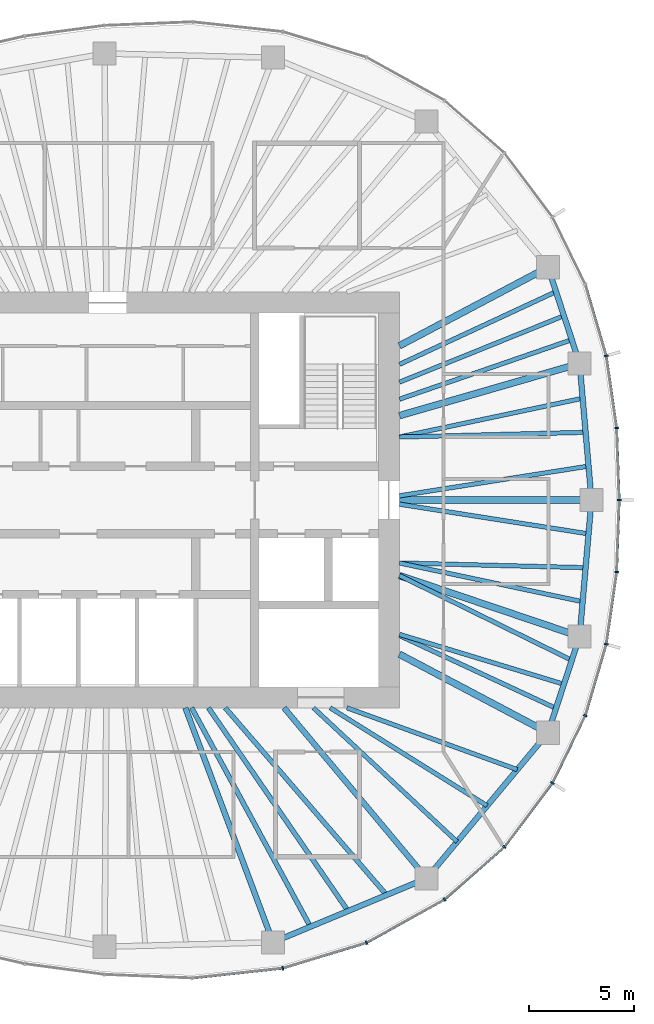
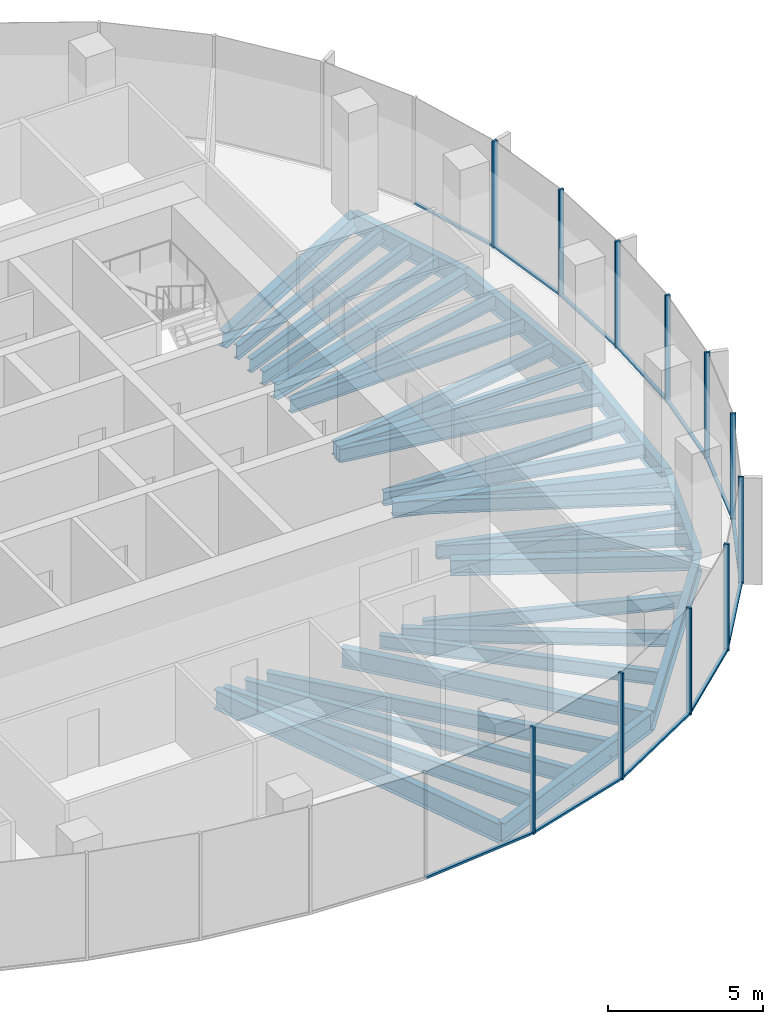
# One storey, part 4 of 12: 31 beams, 23 members, 7 elements without a shape of their own.
"""IFC4 building model written with IfcOpenShell, lengths in metres."""

from ifc_helpers import new_model, si_unit, direction, frame, origin, origin_2d, place, context, subcontext, project, spatial, rectangle, i_section, extrude, material, material_profile, profile_set, type_object, element, aggregate, save


model = new_model("IFC4")

# Units and contexts
model_context = context("Model", 3, precision=1e-05, world=origin(), true_north=direction((0.0, 1.0)))
body_context = subcontext(model_context, "Body", "Model", "MODEL_VIEW")
ifc_project = project(units=[si_unit("LENGTHUNIT", "METRE"), si_unit("AREAUNIT", "SQUARE_METRE"), si_unit("VOLUMEUNIT", "CUBIC_METRE"), si_unit("PLANEANGLEUNIT", "RADIAN"), si_unit("MASSUNIT", "GRAM", prefix="KILO")], contexts=[model_context])

# Site, building, storey
site_placement = place(None, origin())
site = spatial("IfcSite", under=ifc_project, at=site_placement, CompositionType="ELEMENT")
building_placement = place(site_placement, origin())
building = spatial("IfcBuilding", under=site, at=building_placement, Name="Ghaith Harvest Tower", CompositionType="ELEMENT")
storey_placement = place(building_placement, frame((0.0, 0.0, 300.60009765625)))
storey = spatial("IfcBuildingStorey", under=building, at=storey_placement, Name="L67", CompositionType="ELEMENT", Elevation=300.60009765625)

# Curtain wall, members
ifc_material_1 = material(Name="Black anodised aluminium and fritted glass", Category="aluminium")
curtain_wall_type = type_object("IfcCurtainWallType", Name="CW-T CURTAIN WALL", PredefinedType="NOTDEFINED", material=ifc_material_1)
curtain_wall_1_placement = place(storey_placement, origin())
curtain_wall_1 = element("IfcCurtainWall", 1, at=curtain_wall_1_placement, inside=storey, type_object=curtain_wall_type, Name="Curtain wall CW-T bay 01 L67", PredefinedType="NOTDEFINED")
ifc_material_2 = material(Name="Aluminium, black anodised", Category="aluminium")
ifc_material_profile_1 = material_profile(ifc_material_2, rectangle(XDim=0.080078125, YDim=0.179931640625, at=origin_2d()), Name="CW-T MULLION 80x180")
ifc_profile_set_1 = profile_set([ifc_material_profile_1], Name="Aluminium, black anodised")
member_type_1 = type_object("IfcMemberType", Name="CW-T MULLION 80x180", PredefinedType="MULLION", material=ifc_profile_set_1)
member_1_placement = place(storey_placement, frame((24.3701171875, 0.0, 0.0), z_axis=(0.0, 0.0, 1.0), x_axis=(5.2e-11, 1.0, 0.0)))
member_1 = element("IfcMember", 2, at=member_1_placement, type_object=member_type_1, Name="CW-T mullion 1 bay 01 L67", PredefinedType="MULLION", context=body_context, shape_type="SweptSolid", body=[
    extrude(rectangle(XDim=0.080078125, YDim=0.179931640625, at=origin_2d()), origin(), (0.0, 0.0, 1.0), 4.199951171875),
])
member_2_placement = place(storey_placement, frame((24.247802734375, 3.433837890625, 0.0), z_axis=(0.0, 0.0, 1.0), x_axis=(-0.089502202236, 0.995986624305, 0.0)))
member_2 = element("IfcMember", 3, at=member_2_placement, type_object=member_type_1, Name="CW-T mullion 2 bay 01 L67", PredefinedType="MULLION", context=body_context, shape_type="SweptSolid", body=[
    extrude(rectangle(XDim=0.080078125, YDim=0.179931640625, at=origin_2d()), origin(), (0.0, 0.0, 1.0), 4.199951171875),
])

# Curtain wall, member
curtain_wall_2_placement = place(storey_placement, origin())
curtain_wall_2 = element("IfcCurtainWall", 4, at=curtain_wall_2_placement, inside=storey, type_object=curtain_wall_type, Name="Curtain wall CW-T bay 02 L67", PredefinedType="NOTDEFINED")
member_3_placement = place(storey_placement, frame((23.753173828125, 6.865234375, 0.0), z_axis=(0.0, 0.0, 1.0), x_axis=(-0.21340203233, 0.976964468442, 0.0)))
member_3 = element("IfcMember", 5, at=member_3_placement, type_object=member_type_1, Name="CW-T mullion 1 bay 02 L67", PredefinedType="MULLION", context=body_context, shape_type="SweptSolid", body=[
    extrude(rectangle(XDim=0.080078125, YDim=0.179931640625, at=origin_2d()), origin(), (0.0, 0.0, 1.0), 4.199951171875),
])

# Curtain wall, members
curtain_wall_3_placement = place(storey_placement, origin())
curtain_wall_3 = element("IfcCurtainWall", 6, at=curtain_wall_3_placement, inside=storey, type_object=curtain_wall_type, Name="Curtain wall CW-T bay 17 L67", PredefinedType="NOTDEFINED")
member_4_placement = place(storey_placement, frame((8.33984375, -22.308837890625, 0.0), z_axis=(0.0, 0.0, 1.0), x_axis=(0.980000193265, 0.198996535647, 0.0)))
member_4 = element("IfcMember", 7, at=member_4_placement, type_object=member_type_1, Name="CW-T mullion 1 bay 17 L67", PredefinedType="MULLION", context=body_context, shape_type="SweptSolid", body=[
    extrude(rectangle(XDim=0.080078125, YDim=0.179931640625, at=origin_2d()), origin(), (0.0, 0.0, 1.0), 4.199951171875),
])
member_5_placement = place(storey_placement, frame((12.334228515625, -21.091796875, 0.0), z_axis=(0.0, 0.0, 1.0), x_axis=(0.920319269335, 0.391168048914, 0.0)))
member_5 = element("IfcMember", 8, at=member_5_placement, type_object=member_type_1, Name="CW-T mullion 2 bay 17 L67", PredefinedType="MULLION", context=body_context, shape_type="SweptSolid", body=[
    extrude(rectangle(XDim=0.080078125, YDim=0.179931640625, at=origin_2d()), origin(), (0.0, 0.0, 1.0), 4.199951171875),
])

curtain_wall_4_placement = place(storey_placement, origin())
curtain_wall_4 = element("IfcCurtainWall", 9, at=curtain_wall_4_placement, inside=storey, type_object=curtain_wall_type, Name="Curtain wall CW-T bay 18 L67", PredefinedType="NOTDEFINED")
member_6_placement = place(storey_placement, frame((16.04931640625, -19.031982421875, 0.0), z_axis=(0.0, 0.0, 1.0), x_axis=(0.821112053644, 0.570767023715, 0.0)))
member_6 = element("IfcMember", 10, at=member_6_placement, type_object=member_type_1, Name="CW-T mullion 1 bay 18 L67", PredefinedType="MULLION", context=body_context, shape_type="SweptSolid", body=[
    extrude(rectangle(XDim=0.080078125, YDim=0.179931640625, at=origin_2d()), origin(), (0.0, 0.0, 1.0), 4.199951171875),
])
member_7_placement = place(storey_placement, frame((18.901123046875, -16.527099609375, 0.0), z_axis=(0.0, 0.0, 1.0), x_axis=(0.679660897254, 0.733526458108, 0.0)))
member_7 = element("IfcMember", 11, at=member_7_placement, type_object=member_type_1, Name="CW-T mullion 2 bay 18 L67", PredefinedType="MULLION", context=body_context, shape_type="SweptSolid", body=[
    extrude(rectangle(XDim=0.080078125, YDim=0.179931640625, at=origin_2d()), origin(), (0.0, 0.0, 1.0), 4.199951171875),
])

curtain_wall_5_placement = place(storey_placement, origin())
curtain_wall_5 = element("IfcCurtainWall", 12, at=curtain_wall_5_placement, inside=storey, type_object=curtain_wall_type, Name="Curtain wall CW-T bay 19 L67", PredefinedType="NOTDEFINED")
member_8_placement = place(storey_placement, frame((21.18896484375, -13.48486328125, 0.0), z_axis=(0.0, 0.0, 1.0), x_axis=(0.524482238715, 0.85142138878, 0.0)))
member_8 = element("IfcMember", 13, at=member_8_placement, type_object=member_type_1, Name="CW-T mullion 1 bay 19 L67", PredefinedType="MULLION", context=body_context, shape_type="SweptSolid", body=[
    extrude(rectangle(XDim=0.080078125, YDim=0.179931640625, at=origin_2d()), origin(), (0.0, 0.0, 1.0), 4.199951171875),
])
member_9_placement = place(storey_placement, frame((22.754150390625, -10.272216796875, 0.0), z_axis=(0.0, 0.0, 1.0), x_axis=(0.361184273904, 0.932494461262, 0.0)))
member_9 = element("IfcMember", 14, at=member_9_placement, type_object=member_type_1, Name="CW-T mullion 2 bay 19 L67", PredefinedType="MULLION", context=body_context, shape_type="SweptSolid", body=[
    extrude(rectangle(XDim=0.080078125, YDim=0.179931640625, at=origin_2d()), origin(), (0.0, 0.0, 1.0), 4.199951171875),
])

curtain_wall_6_placement = place(storey_placement, origin())
curtain_wall_6 = element("IfcCurtainWall", 15, at=curtain_wall_6_placement, inside=storey, type_object=curtain_wall_type, Name="Curtain wall CW-T bay 20 L67", PredefinedType="NOTDEFINED")
member_10_placement = place(storey_placement, frame((23.753173828125, -6.865234375, 0.0), z_axis=(0.0, 0.0, 1.0), x_axis=(0.213402032501, 0.976964468404, 0.0)))
member_10 = element("IfcMember", 16, at=member_10_placement, type_object=member_type_1, Name="CW-T mullion 1 bay 20 L67", PredefinedType="MULLION", context=body_context, shape_type="SweptSolid", body=[
    extrude(rectangle(XDim=0.080078125, YDim=0.179931640625, at=origin_2d()), origin(), (0.0, 0.0, 1.0), 4.199951171875),
])
member_11_placement = place(storey_placement, frame((24.247802734375, -3.433837890625, 0.0), z_axis=(0.0, 0.0, 1.0), x_axis=(0.089502202305, 0.995986624299, 0.0)))
member_11 = element("IfcMember", 17, at=member_11_placement, type_object=member_type_1, Name="CW-T mullion 2 bay 20 L67", PredefinedType="MULLION", context=body_context, shape_type="SweptSolid", body=[
    extrude(rectangle(XDim=0.080078125, YDim=0.179931640625, at=origin_2d()), origin(), (0.0, 0.0, 1.0), 4.199951171875),
])

# Member
ifc_material_3 = material(Name="Aluminium, black anodised", Category="aluminium")
ifc_material_profile_2 = material_profile(ifc_material_3, rectangle(XDim=0.1201171875, YDim=0.080078125, at=origin_2d()), Name="CW-T TRANSOM 120x80")
ifc_profile_set_2 = profile_set([ifc_material_profile_2], Name="Aluminium, black anodised")
member_type_2 = type_object("IfcMemberType", Name="CW-T TRANSOM 120x80", PredefinedType="USERDEFINED", material=ifc_profile_set_2)
member_12_placement = place(storey_placement, frame((24.36865234375, 0.0400390625, 0.039794921875), z_axis=(-0.035574759537, 0.999367017909, 0.0), x_axis=(-0.999367017909, -0.035574759537, 0.0)))
member_12 = element("IfcMember", 18, at=member_12_placement, type_object=member_type_2, Name="CW-T transom 1 bay 01 L67", ObjectType="TRANSOM", PredefinedType="USERDEFINED", context=body_context, shape_type="SweptSolid", body=[
    extrude(rectangle(XDim=0.1201171875, YDim=0.080078125, at=origin_2d()), origin(), (0.0, 0.0, 1.0), 3.35595703125),
])

member_13_placement = place(storey_placement, frame((24.2421875, 3.473388671875, 0.039794921875), z_axis=(-0.142733224301, 0.989761196795, 0.0), x_axis=(-0.989761196795, -0.142733224301, 0.0)))
member_13 = element("IfcMember", 19, at=member_13_placement, type_object=member_type_2, Name="CW-T transom 2 bay 01 L67", ObjectType="TRANSOM", PredefinedType="USERDEFINED", context=body_context, shape_type="SweptSolid", body=[
    extrude(rectangle(XDim=0.1201171875, YDim=0.080078125, at=origin_2d()), origin(), (0.0, 0.0, 1.0), 3.38671875),
])

aggregate(curtain_wall_1, [member_1, member_12, member_2, member_13])

member_14_placement = place(storey_placement, frame((23.741943359375, 6.903564453125, 0.039794921875), z_axis=(-0.281385475469, 0.95959481772, 0.0), x_axis=(-0.95959481772, -0.281385475469, 0.0)))
member_14 = element("IfcMember", 20, at=member_14_placement, type_object=member_type_2, Name="CW-T transom 1 bay 02 L67", ObjectType="TRANSOM", PredefinedType="USERDEFINED", context=body_context, shape_type="SweptSolid", body=[
    extrude(rectangle(XDim=0.1201171875, YDim=0.080078125, at=origin_2d()), origin(), (0.0, 0.0, 1.0), 3.470458984375),
])

aggregate(curtain_wall_2, [member_3, member_14])

# Curtain wall, member
curtain_wall_7_placement = place(storey_placement, origin())
curtain_wall_7 = element("IfcCurtainWall", 21, at=curtain_wall_7_placement, inside=storey, type_object=curtain_wall_type, Name="Curtain wall CW-T bay 16 L67", PredefinedType="NOTDEFINED")
member_15_placement = place(storey_placement, frame((4.077392578125, -22.772216796875, 0.039794921875), z_axis=(0.994144463069, 0.108059180768, 0.0), x_axis=(-0.108059180768, 0.994144463069, 0.0)))
member_15 = element("IfcMember", 22, at=member_15_placement, type_object=member_type_2, Name="CW-T transom 2 bay 16 L67", ObjectType="TRANSOM", PredefinedType="USERDEFINED", context=body_context, shape_type="SweptSolid", body=[
    extrude(rectangle(XDim=0.1201171875, YDim=0.080078125, at=origin_2d()), origin(), (0.0, 0.0, 1.0), 4.24755859375),
])
aggregate(curtain_wall_7, [member_15])

# Member
member_16_placement = place(storey_placement, frame((8.378173828125, -22.297119140625, 0.039794921875), z_axis=(0.956593713342, 0.291424891858, 0.0), x_axis=(-0.291424891858, 0.956593713342, 0.0)))
member_16 = element("IfcMember", 23, at=member_16_placement, type_object=member_type_2, Name="CW-T transom 1 bay 17 L67", ObjectType="TRANSOM", PredefinedType="USERDEFINED", context=body_context, shape_type="SweptSolid", body=[
    extrude(rectangle(XDim=0.1201171875, YDim=0.080078125, at=origin_2d()), origin(), (0.0, 0.0, 1.0), 4.095703125),
])

member_17_placement = place(storey_placement, frame((12.369384765625, -21.072509765625, 0.039794921875), z_axis=(0.874552130553, 0.484931511603, 0.0), x_axis=(-0.484931511603, 0.874552130553, 0.0)))
member_17 = element("IfcMember", 24, at=member_17_placement, type_object=member_type_2, Name="CW-T transom 2 bay 17 L67", ObjectType="TRANSOM", PredefinedType="USERDEFINED", context=body_context, shape_type="SweptSolid", body=[
    extrude(rectangle(XDim=0.1201171875, YDim=0.080078125, at=origin_2d()), origin(), (0.0, 0.0, 1.0), 4.16748046875),
])

aggregate(curtain_wall_3, [member_4, member_16, member_5, member_17])

member_18_placement = place(storey_placement, frame((16.079345703125, -19.005615234375, 0.039794921875), z_axis=(0.751325799984, 0.659931467865, 0.0), x_axis=(-0.659931467865, 0.751325799984, 0.0)))
member_18 = element("IfcMember", 25, at=member_18_placement, type_object=member_type_2, Name="CW-T transom 1 bay 18 L67", ObjectType="TRANSOM", PredefinedType="USERDEFINED", context=body_context, shape_type="SweptSolid", body=[
    extrude(rectangle(XDim=0.1201171875, YDim=0.080078125, at=origin_2d()), origin(), (0.0, 0.0, 1.0), 3.7158203125),
])

member_19_placement = place(storey_placement, frame((18.925048828125, -16.4951171875, 0.039794921875), z_axis=(0.601079103045, 0.799189534392, 0.0), x_axis=(-0.799189534392, 0.601079103045, 0.0)))
member_19 = element("IfcMember", 26, at=member_19_placement, type_object=member_type_2, Name="CW-T transom 2 bay 18 L67", ObjectType="TRANSOM", PredefinedType="USERDEFINED", context=body_context, shape_type="SweptSolid", body=[
    extrude(rectangle(XDim=0.1201171875, YDim=0.080078125, at=origin_2d()), origin(), (0.0, 0.0, 1.0), 3.7265625),
])

aggregate(curtain_wall_4, [member_6, member_18, member_7, member_19])

member_20_placement = place(storey_placement, frame((21.20654296875, -13.448974609375, 0.039794921875), z_axis=(0.437965078712, 0.898991985408, 0.0), x_axis=(-0.898991985408, 0.437965078712, 0.0)))
member_20 = element("IfcMember", 27, at=member_20_placement, type_object=member_type_2, Name="CW-T transom 1 bay 19 L67", ObjectType="TRANSOM", PredefinedType="USERDEFINED", context=body_context, shape_type="SweptSolid", body=[
    extrude(rectangle(XDim=0.1201171875, YDim=0.080078125, at=origin_2d()), origin(), (0.0, 0.0, 1.0), 3.493408203125),
])

member_21_placement = place(storey_placement, frame((22.765380859375, -10.23388671875, 0.039794921875), z_axis=(0.281385475469, 0.95959481772, 0.0), x_axis=(-0.95959481772, 0.281385475469, 0.0)))
member_21 = element("IfcMember", 28, at=member_21_placement, type_object=member_type_2, Name="CW-T transom 2 bay 19 L67", ObjectType="TRANSOM", PredefinedType="USERDEFINED", context=body_context, shape_type="SweptSolid", body=[
    extrude(rectangle(XDim=0.1201171875, YDim=0.080078125, at=origin_2d()), origin(), (0.0, 0.0, 1.0), 3.470458984375),
])

aggregate(curtain_wall_5, [member_8, member_20, member_9, member_21])

member_22_placement = place(storey_placement, frame((23.7587890625, -6.825439453125, 0.039794921875), z_axis=(0.142733224301, 0.989761196795, 0.0), x_axis=(-0.989761196795, 0.142733224301, 0.0)))
member_22 = element("IfcMember", 29, at=member_22_placement, type_object=member_type_2, Name="CW-T transom 1 bay 20 L67", ObjectType="TRANSOM", PredefinedType="USERDEFINED", context=body_context, shape_type="SweptSolid", body=[
    extrude(rectangle(XDim=0.1201171875, YDim=0.080078125, at=origin_2d()), origin(), (0.0, 0.0, 1.0), 3.38671875),
])

member_23_placement = place(storey_placement, frame((24.249267578125, -3.393798828125, 0.039794921875), z_axis=(0.035574759537, 0.999367017909, 0.0), x_axis=(-0.999367017909, 0.035574759537, 0.0)))
member_23 = element("IfcMember", 30, at=member_23_placement, type_object=member_type_2, Name="CW-T transom 2 bay 20 L67", ObjectType="TRANSOM", PredefinedType="USERDEFINED", context=body_context, shape_type="SweptSolid", body=[
    extrude(rectangle(XDim=0.1201171875, YDim=0.080078125, at=origin_2d()), origin(), (0.0, 0.0, 1.0), 3.35595703125),
])

aggregate(curtain_wall_6, [member_10, member_22, member_11, member_23])

# Beams
ifc_material_4 = material(Name="Steel ASTM A992 Grade 50", Category="steel")
ifc_material_profile_3 = material_profile(ifc_material_4, i_section(OverallWidth=0.26611328125, OverallDepth=0.758056640625, WebThickness=0.013916015625, FlangeThickness=0.019287109375, at=origin_2d()), Name="W760X161")
ifc_profile_set_3 = profile_set([ifc_material_profile_3], Name="Steel ASTM A992 Grade 50")
beam_type_1 = type_object("IfcBeamType", Name="E760-161 W760X161", PredefinedType="SPANDREL", material=ifc_profile_set_3)
beam_1_placement = place(storey_placement, frame((23.050048828125, 0.0, -0.549072265625), z_axis=(-0.086600547306, 0.996243115513, 0.0), x_axis=(-0.996243115513, -0.086600547306, 0.0)))
element("IfcBeam", 31, at=beam_1_placement, inside=storey, type_object=beam_type_1, Name="Edge beam E01 L67", PredefinedType="SPANDREL", context=body_context, shape_type="SweptSolid", body=[
    extrude(i_section(OverallWidth=0.26611328125, OverallDepth=0.758056640625, WebThickness=0.013916015625, FlangeThickness=0.019287109375, at=origin_2d()), origin(), (0.0, 0.0, 1.0), 6.5234375),
])
beam_2_placement = place(storey_placement, frame((22.485107421875, 6.4990234375, -0.549072265625), z_axis=(-0.312206727278, 0.950014189074, 0.0), x_axis=(-0.950014189074, -0.312206727278, 0.0)))
element("IfcBeam", 32, at=beam_2_placement, inside=storey, type_object=beam_type_1, Name="Edge beam E02 L67", PredefinedType="SPANDREL", context=body_context, shape_type="SweptSolid", body=[
    extrude(i_section(OverallWidth=0.26611328125, OverallDepth=0.758056640625, WebThickness=0.013916015625, FlangeThickness=0.019287109375, at=origin_2d()), origin(), (0.0, 0.0, 1.0), 4.830322265625),
])
beam_3_placement = place(storey_placement, frame((7.8779296875, -21.072021484375, -0.549072265625), z_axis=(0.923119729219, 0.384512633766, 0.0), x_axis=(-0.384512633766, 0.923119729219, 0.0)))
element("IfcBeam", 33, at=beam_3_placement, inside=storey, type_object=beam_type_1, Name="Edge beam E17 L67", PredefinedType="SPANDREL", context=body_context, shape_type="SweptSolid", body=[
    extrude(i_section(OverallWidth=0.26611328125, OverallDepth=0.758056640625, WebThickness=0.013916015625, FlangeThickness=0.019287109375, at=origin_2d()), origin(), (0.0, 0.0, 1.0), 7.9296875),
])
beam_4_placement = place(storey_placement, frame((15.197998046875, -18.02294921875, -0.549072265625), z_axis=(0.640173759088, 0.76823014662, 0.0), x_axis=(-0.76823014662, 0.640173759088, 0.0)))
element("IfcBeam", 34, at=beam_4_placement, inside=storey, type_object=beam_type_1, Name="Edge beam E18 L67", PredefinedType="SPANDREL", context=body_context, shape_type="SweptSolid", body=[
    extrude(i_section(OverallWidth=0.26611328125, OverallDepth=0.758056640625, WebThickness=0.013916015625, FlangeThickness=0.019287109375, at=origin_2d()), origin(), (0.0, 0.0, 1.0), 9.02734375),
])
beam_5_placement = place(storey_placement, frame((20.97705078125, -11.087890625, -0.549072265625), z_axis=(0.312206727278, 0.950014189074, 0.0), x_axis=(-0.950014189074, 0.312206727278, 0.0)))
element("IfcBeam", 35, at=beam_5_placement, inside=storey, type_object=beam_type_1, Name="Edge beam E19 L67", PredefinedType="SPANDREL", context=body_context, shape_type="SweptSolid", body=[
    extrude(i_section(OverallWidth=0.26611328125, OverallDepth=0.758056640625, WebThickness=0.013916015625, FlangeThickness=0.019287109375, at=origin_2d()), origin(), (0.0, 0.0, 1.0), 4.830322265625),
])
beam_6_placement = place(storey_placement, frame((22.485107421875, -6.4990234375, -0.549072265625), z_axis=(0.086600547306, 0.996243115513, 0.0), x_axis=(-0.996243115513, 0.086600547306, 0.0)))
element("IfcBeam", 36, at=beam_6_placement, inside=storey, type_object=beam_type_1, Name="Edge beam E20 L67", PredefinedType="SPANDREL", context=body_context, shape_type="SweptSolid", body=[
    extrude(i_section(OverallWidth=0.26611328125, OverallDepth=0.758056640625, WebThickness=0.013916015625, FlangeThickness=0.019287109375, at=origin_2d()), origin(), (0.0, 0.0, 1.0), 6.5234375),
])
ifc_material_5 = material(Name="Steel ASTM A992 Grade 50", Category="steel")
ifc_material_profile_4 = material_profile(ifc_material_5, i_section(OverallWidth=0.323974609375, OverallDepth=0.611083984375, WebThickness=0.0126953125, FlangeThickness=0.01904296875, at=origin_2d()), Name="W610X155")
ifc_profile_set_4 = profile_set([ifc_material_profile_4], Name="Steel ASTM A992 Grade 50")
beam_type_2 = type_object("IfcBeamType", Name="G610-155 W610X155", PredefinedType="BEAM", material=ifc_profile_set_4)
beam_7_placement = place(storey_placement, frame((13.89990234375, 0.0, -0.4755859375), z_axis=(1.0, 0.0, 0.0), x_axis=(0.0, 1.0, 0.0)))
element("IfcBeam", 37, at=beam_7_placement, inside=storey, type_object=beam_type_2, Name="Radial girder G01 L67", PredefinedType="BEAM", context=body_context, shape_type="SweptSolid", body=[
    extrude(i_section(OverallWidth=0.323974609375, OverallDepth=0.611083984375, WebThickness=0.0126953125, FlangeThickness=0.01904296875, at=origin_2d()), origin(), (0.0, 0.0, 1.0), 9.150146484375),
])
beam_8_placement = place(storey_placement, frame((13.89990234375, 4.017333984375, -0.4755859375), z_axis=(0.960668846071, 0.27769653975, 0.0), x_axis=(-0.27769653975, 0.960668846071, 0.0)))
element("IfcBeam", 38, at=beam_8_placement, inside=storey, type_object=beam_type_2, Name="Radial girder G02 L67", PredefinedType="BEAM", context=body_context, shape_type="SweptSolid", body=[
    extrude(i_section(OverallWidth=0.323974609375, OverallDepth=0.611083984375, WebThickness=0.0126953125, FlangeThickness=0.01904296875, at=origin_2d()), origin(), (0.0, 0.0, 1.0), 8.936767578125),
])
for number, where, z_axis, x_axis, name in (
    (39, (13.89990234375, 7.34716796875, -0.4755859375), (0.884097820364, 0.467301876764, 0.0), (-0.467301876764, 0.884097820364, 0.0), "Radial girder G03 L67"),
    (40, (13.89990234375, -7.34716796875, -0.4755859375), (0.884097820364, -0.467301876764, 0.0), (0.467301876764, 0.884097820364, 0.0), "Radial girder G19 L67"),
):
    element("IfcBeam", number, at=place(storey_placement, frame(where, z_axis=z_axis, x_axis=x_axis)), inside=storey, type_object=beam_type_2, Name=name, PredefinedType="BEAM", context=body_context, shape_type="SweptSolid", body=[
        extrude(i_section(OverallWidth=0.323974609375, OverallDepth=0.611083984375, WebThickness=0.0126953125, FlangeThickness=0.01904296875, at=origin_2d()), origin(), (0.0, 0.0, 1.0), 8.0048828125),
    ])
beam_9_placement = place(storey_placement, frame((13.89990234375, -3.60009765625, -0.4755859375), z_axis=(0.947444819082, -0.319919231673, 0.0), x_axis=(0.319919231673, 0.947444819082, 0.0)))
element("IfcBeam", 41, at=beam_9_placement, inside=storey, type_object=beam_type_2, Name="Radial girder G20 L67", PredefinedType="BEAM", context=body_context, shape_type="SweptSolid", body=[
    extrude(i_section(OverallWidth=0.323974609375, OverallDepth=0.611083984375, WebThickness=0.0126953125, FlangeThickness=0.01904296875, at=origin_2d()), origin(), (0.0, 0.0, 1.0), 9.0615234375),
])
ifc_material_6 = material(Name="Steel ASTM A992 Grade 50", Category="steel")
ifc_material_profile_5 = material_profile(ifc_material_6, i_section(OverallWidth=0.26611328125, OverallDepth=0.758056640625, WebThickness=0.013916015625, FlangeThickness=0.019287109375, at=origin_2d()), Name="W760X161")
ifc_profile_set_5 = profile_set([ifc_material_profile_5], Name="Steel ASTM A992 Grade 50")
beam_type_3 = type_object("IfcBeamType", Name="G760-161 W760X161", PredefinedType="BEAM", material=ifc_profile_set_5)
beam_10_placement = place(storey_placement, frame((3.700927734375, -9.89990234375, -0.549072265625), z_axis=(0.350201332531, -0.936674450753, 0.0), x_axis=(0.936674450753, 0.350201332531, 0.0)))
element("IfcBeam", 42, at=beam_10_placement, inside=storey, type_object=beam_type_3, Name="Radial girder G17 L67", PredefinedType="BEAM", context=body_context, shape_type="SweptSolid", body=[
    extrude(i_section(OverallWidth=0.26611328125, OverallDepth=0.758056640625, WebThickness=0.013916015625, FlangeThickness=0.019287109375, at=origin_2d()), origin(), (0.0, 0.0, 1.0), 11.927490234375),
])
beam_11_placement = place(storey_placement, frame((8.39990234375, -9.89990234375, -0.549072265625), z_axis=(0.641792628883, -0.766878231215, 0.0), x_axis=(0.766878231215, 0.641792628883, 0.0)))
element("IfcBeam", 43, at=beam_11_placement, inside=storey, type_object=beam_type_3, Name="Radial girder G18 L67", PredefinedType="BEAM", context=body_context, shape_type="SweptSolid", body=[
    extrude(i_section(OverallWidth=0.26611328125, OverallDepth=0.758056640625, WebThickness=0.013916015625, FlangeThickness=0.019287109375, at=origin_2d()), origin(), (0.0, 0.0, 1.0), 10.59228515625),
])
ifc_material_7 = material(Name="Steel ASTM A992 Grade 50", Category="steel")
ifc_material_profile_6 = material_profile(ifc_material_7, i_section(OverallWidth=0.2109375, OverallDepth=0.5390625, WebThickness=0.01171875, FlangeThickness=0.018798828125, at=origin_2d()), Name="W530X109")
ifc_profile_set_6 = profile_set([ifc_material_profile_6], Name="Steel ASTM A992 Grade 50")
beam_type_4 = type_object("IfcBeamType", Name="J530-109 W530X109", PredefinedType="JOIST", material=ifc_profile_set_6)
beam_12_placement = place(storey_placement, frame((13.89990234375, 0.199951171875, -0.439697265625), z_axis=(0.987906665526, 0.155049734628, 0.0), x_axis=(-0.155049734628, 0.987906665526, 0.0)))
element("IfcBeam", 44, at=beam_12_placement, inside=storey, type_object=beam_type_4, Name="Joist J01.1 L67", PredefinedType="JOIST", context=body_context, shape_type="SweptSolid", body=[
    extrude(i_section(OverallWidth=0.2109375, OverallDepth=0.5390625, WebThickness=0.01171875, FlangeThickness=0.018798828125, at=origin_2d()), origin(), (0.0, 0.0, 1.0), 9.1201171875),
])
beam_13_placement = place(storey_placement, frame((13.89990234375, 3.0, -0.439697265625), z_axis=(0.999679533859, 0.025314612071, 0.0), x_axis=(-0.025314612071, 0.999679533859, 0.0)))
element("IfcBeam", 45, at=beam_13_placement, inside=storey, type_object=beam_type_4, Name="Joist J01.2 L67", PredefinedType="JOIST", context=body_context, shape_type="SweptSolid", body=[
    extrude(i_section(OverallWidth=0.2109375, OverallDepth=0.5390625, WebThickness=0.01171875, FlangeThickness=0.018798828125, at=origin_2d()), origin(), (0.0, 0.0, 1.0), 8.872802734375),
])
beam_14_placement = place(storey_placement, frame((13.89990234375, 3.0, -0.439697265625), z_axis=(0.97833382446, 0.207033639579, 0.0), x_axis=(-0.207033639579, 0.97833382446, 0.0)))
element("IfcBeam", 46, at=beam_14_placement, inside=storey, type_object=beam_type_4, Name="Joist J01.3 L67", PredefinedType="JOIST", context=body_context, shape_type="SweptSolid", body=[
    extrude(i_section(OverallWidth=0.2109375, OverallDepth=0.5390625, WebThickness=0.01171875, FlangeThickness=0.018798828125, at=origin_2d()), origin(), (0.0, 0.0, 1.0), 8.922119140625),
])
beam_15_placement = place(storey_placement, frame((13.89990234375, 4.801025390625, -0.439697265625), z_axis=(0.945204712775, 0.326478254937, 0.0), x_axis=(-0.326478254937, 0.945204712775, 0.0)))
element("IfcBeam", 47, at=beam_15_placement, inside=storey, type_object=beam_type_4, Name="Joist J02.1 L67", PredefinedType="JOIST", context=body_context, shape_type="SweptSolid", body=[
    extrude(i_section(OverallWidth=0.2109375, OverallDepth=0.5390625, WebThickness=0.01171875, FlangeThickness=0.018798828125, at=origin_2d()), origin(), (0.0, 0.0, 1.0), 8.687255859375),
])
beam_16_placement = place(storey_placement, frame((13.89990234375, 5.61328125, -0.439697265625), z_axis=(0.927254375113, 0.374432001615, 0.0), x_axis=(-0.374432001615, 0.927254375113, 0.0)))
element("IfcBeam", 48, at=beam_16_placement, inside=storey, type_object=beam_type_4, Name="Joist J02.2 L67", PredefinedType="JOIST", context=body_context, shape_type="SweptSolid", body=[
    extrude(i_section(OverallWidth=0.2109375, OverallDepth=0.5390625, WebThickness=0.01171875, FlangeThickness=0.018798828125, at=origin_2d()), origin(), (0.0, 0.0, 1.0), 8.450927734375),
])
beam_17_placement = place(storey_placement, frame((13.89990234375, 6.45947265625, -0.439697265625), z_axis=(0.906859906661, 0.42143221245, 0.0), x_axis=(-0.42143221245, 0.906859906661, 0.0)))
element("IfcBeam", 49, at=beam_17_placement, inside=storey, type_object=beam_type_4, Name="Joist J02.3 L67", PredefinedType="JOIST", context=body_context, shape_type="SweptSolid", body=[
    extrude(i_section(OverallWidth=0.2109375, OverallDepth=0.5390625, WebThickness=0.01171875, FlangeThickness=0.018798828125, at=origin_2d()), origin(), (0.0, 0.0, 1.0), 8.22509765625),
])
beam_18_placement = place(storey_placement, frame((9.800048828125, -9.89990234375, -0.439697265625), z_axis=(0.73164904944, -0.681681500742, 0.0), x_axis=(0.681681500742, 0.73164904944, 0.0)))
element("IfcBeam", 50, at=beam_18_placement, inside=storey, type_object=beam_type_4, Name="Joist J18.1 L67", PredefinedType="JOIST", context=body_context, shape_type="SweptSolid", body=[
    extrude(i_section(OverallWidth=0.2109375, OverallDepth=0.5390625, WebThickness=0.01171875, FlangeThickness=0.018798828125, at=origin_2d()), origin(), (0.0, 0.0, 1.0), 9.361572265625),
])
beam_19_placement = place(storey_placement, frame((10.60009765625, -9.89990234375, -0.439697265625), z_axis=(0.84837619421, -0.52939383553, 0.0), x_axis=(0.52939383553, 0.84837619421, 0.0)))
element("IfcBeam", 51, at=beam_19_placement, inside=storey, type_object=beam_type_4, Name="Joist J18.2 L67", PredefinedType="JOIST", context=body_context, shape_type="SweptSolid", body=[
    extrude(i_section(OverallWidth=0.2109375, OverallDepth=0.5390625, WebThickness=0.01171875, FlangeThickness=0.018798828125, at=origin_2d()), origin(), (0.0, 0.0, 1.0), 8.814697265625),
])
beam_20_placement = place(storey_placement, frame((11.39990234375, -9.89990234375, -0.439697265625), z_axis=(0.939925501564, -0.341379629605, 0.0), x_axis=(0.341379629605, 0.939925501564, 0.0)))
element("IfcBeam", 52, at=beam_20_placement, inside=storey, type_object=beam_type_4, Name="Joist J18.3 L67", PredefinedType="JOIST", context=body_context, shape_type="SweptSolid", body=[
    extrude(i_section(OverallWidth=0.2109375, OverallDepth=0.5390625, WebThickness=0.01171875, FlangeThickness=0.018798828125, at=origin_2d()), origin(), (0.0, 0.0, 1.0), 8.630615234375),
])
beam_21_placement = place(storey_placement, frame((13.89990234375, -6.45947265625, -0.439697265625), z_axis=(0.906859906661, -0.42143221245, 0.0), x_axis=(0.42143221245, 0.906859906661, 0.0)))
element("IfcBeam", 53, at=beam_21_placement, inside=storey, type_object=beam_type_4, Name="Joist J19.1 L67", PredefinedType="JOIST", context=body_context, shape_type="SweptSolid", body=[
    extrude(i_section(OverallWidth=0.2109375, OverallDepth=0.5390625, WebThickness=0.01171875, FlangeThickness=0.018798828125, at=origin_2d()), origin(), (0.0, 0.0, 1.0), 8.22509765625),
])
beam_22_placement = place(storey_placement, frame((13.89990234375, -6.39990234375, -0.439697265625), z_axis=(0.9569197823, -0.290352424208, 0.0), x_axis=(0.290352424208, 0.9569197823, 0.0)))
element("IfcBeam", 54, at=beam_22_placement, inside=storey, type_object=beam_type_4, Name="Joist J19.2 L67", PredefinedType="JOIST", context=body_context, shape_type="SweptSolid", body=[
    extrude(i_section(OverallWidth=0.2109375, OverallDepth=0.5390625, WebThickness=0.01171875, FlangeThickness=0.018798828125, at=origin_2d()), origin(), (0.0, 0.0, 1.0), 8.18896484375),
])
beam_23_placement = place(storey_placement, frame((13.89990234375, -3.60009765625, -0.439697265625), z_axis=(0.89740088778, -0.441216099674, 0.0), x_axis=(0.441216099674, 0.89740088778, 0.0)))
element("IfcBeam", 55, at=beam_23_placement, inside=storey, type_object=beam_type_4, Name="Joist J19.3 L67", PredefinedType="JOIST", context=body_context, shape_type="SweptSolid", body=[
    extrude(i_section(OverallWidth=0.2109375, OverallDepth=0.5390625, WebThickness=0.01171875, FlangeThickness=0.018798828125, at=origin_2d()), origin(), (0.0, 0.0, 1.0), 9.14990234375),
])
beam_24_placement = place(storey_placement, frame((13.89990234375, -3.0, -0.439697265625), z_axis=(0.97833382446, -0.207033639579, 0.0), x_axis=(0.207033639579, 0.97833382446, 0.0)))
element("IfcBeam", 56, at=beam_24_placement, inside=storey, type_object=beam_type_4, Name="Joist J20.1 L67", PredefinedType="JOIST", context=body_context, shape_type="SweptSolid", body=[
    extrude(i_section(OverallWidth=0.2109375, OverallDepth=0.5390625, WebThickness=0.01171875, FlangeThickness=0.018798828125, at=origin_2d()), origin(), (0.0, 0.0, 1.0), 8.922119140625),
])
beam_25_placement = place(storey_placement, frame((13.89990234375, -3.0, -0.439697265625), z_axis=(0.999679533859, -0.025314612071, 0.0), x_axis=(0.025314612071, 0.999679533859, 0.0)))
element("IfcBeam", 57, at=beam_25_placement, inside=storey, type_object=beam_type_4, Name="Joist J20.2 L67", PredefinedType="JOIST", context=body_context, shape_type="SweptSolid", body=[
    extrude(i_section(OverallWidth=0.2109375, OverallDepth=0.5390625, WebThickness=0.01171875, FlangeThickness=0.018798828125, at=origin_2d()), origin(), (0.0, 0.0, 1.0), 8.872802734375),
])
beam_26_placement = place(storey_placement, frame((13.89990234375, -0.199951171875, -0.439697265625), z_axis=(0.987906665526, -0.155049734628, 0.0), x_axis=(0.155049734628, 0.987906665526, 0.0)))
element("IfcBeam", 58, at=beam_26_placement, inside=storey, type_object=beam_type_4, Name="Joist J20.3 L67", PredefinedType="JOIST", context=body_context, shape_type="SweptSolid", body=[
    extrude(i_section(OverallWidth=0.2109375, OverallDepth=0.5390625, WebThickness=0.01171875, FlangeThickness=0.018798828125, at=origin_2d()), origin(), (0.0, 0.0, 1.0), 9.1201171875),
])
ifc_material_8 = material(Name="Steel ASTM A992 Grade 50", Category="steel")
ifc_material_profile_7 = material_profile(ifc_material_8, i_section(OverallWidth=0.22998046875, OverallDepth=0.616943359375, WebThickness=0.01318359375, FlangeThickness=0.022216796875, at=origin_2d()), Name="W610X140")
ifc_profile_set_7 = profile_set([ifc_material_profile_7], Name="Steel ASTM A992 Grade 50")
beam_type_5 = type_object("IfcBeamType", Name="J610-140 W610X140", PredefinedType="JOIST", material=ifc_profile_set_7)
beam_27_placement = place(storey_placement, frame((4.0, -9.89990234375, -0.478515625), z_axis=(0.476764926531, -0.879030832696, 0.0), x_axis=(0.879030832696, 0.476764926531, 0.0)))
element("IfcBeam", 59, at=beam_27_placement, inside=storey, type_object=beam_type_5, Name="Joist J17.1 L67", PredefinedType="JOIST", context=body_context, shape_type="SweptSolid", body=[
    extrude(i_section(OverallWidth=0.22998046875, OverallDepth=0.616943359375, WebThickness=0.01318359375, FlangeThickness=0.022216796875, at=origin_2d()), origin(), (0.0, 0.0, 1.0), 11.866455078125),
])
beam_28_placement = place(storey_placement, frame((4.800048828125, -9.89990234375, -0.478515625), z_axis=(0.566228035119, -0.824248634967, 0.0), x_axis=(0.824248634967, 0.566228035119, 0.0)))
element("IfcBeam", 60, at=beam_28_placement, inside=storey, type_object=beam_type_5, Name="Joist J17.2 L67", PredefinedType="JOIST", context=body_context, shape_type="SweptSolid", body=[
    extrude(i_section(OverallWidth=0.22998046875, OverallDepth=0.616943359375, WebThickness=0.01318359375, FlangeThickness=0.022216796875, at=origin_2d()), origin(), (0.0, 0.0, 1.0), 11.748046875),
])
beam_29_placement = place(storey_placement, frame((5.60009765625, -9.89990234375, -0.478515625), z_axis=(0.652992938501, -0.757363995888, 0.0), x_axis=(0.757363995888, 0.652992938501, 0.0)))
element("IfcBeam", 61, at=beam_29_placement, inside=storey, type_object=beam_type_5, Name="Joist J17.3 L67", PredefinedType="JOIST", context=body_context, shape_type="SweptSolid", body=[
    extrude(i_section(OverallWidth=0.22998046875, OverallDepth=0.616943359375, WebThickness=0.01318359375, FlangeThickness=0.022216796875, at=origin_2d()), origin(), (0.0, 0.0, 1.0), 11.775390625),
])

save(model, "model.ifc")
